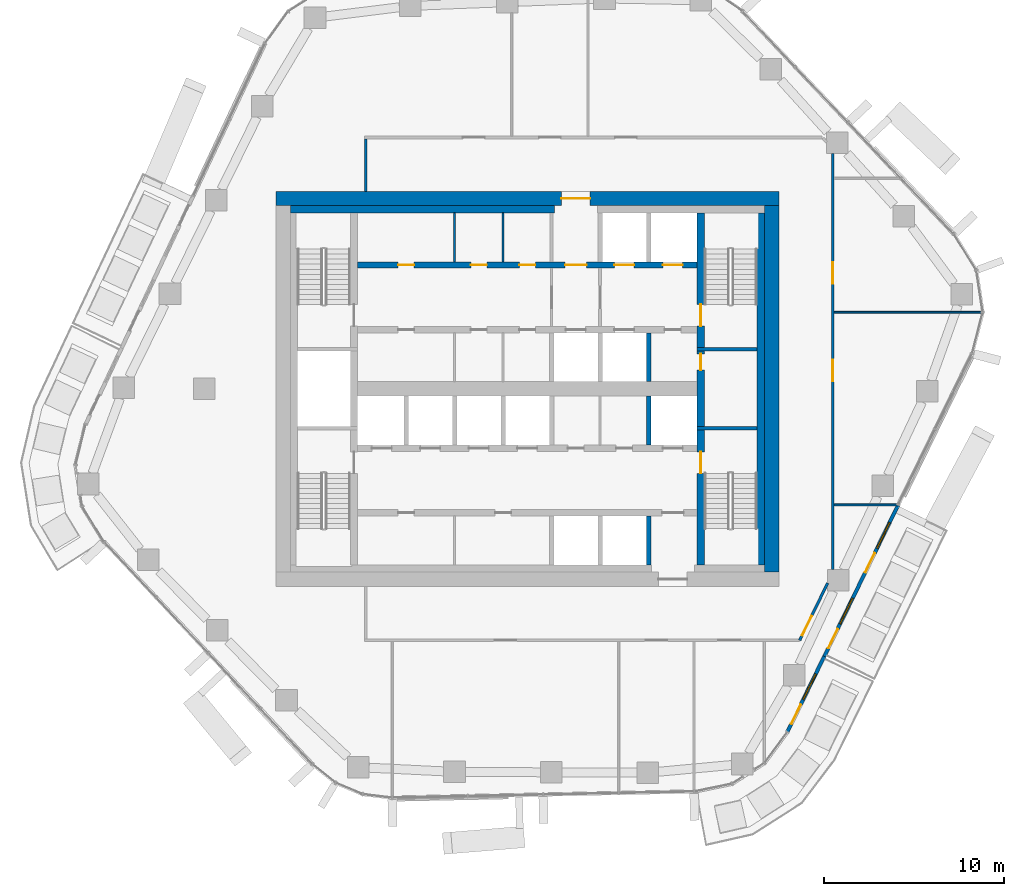
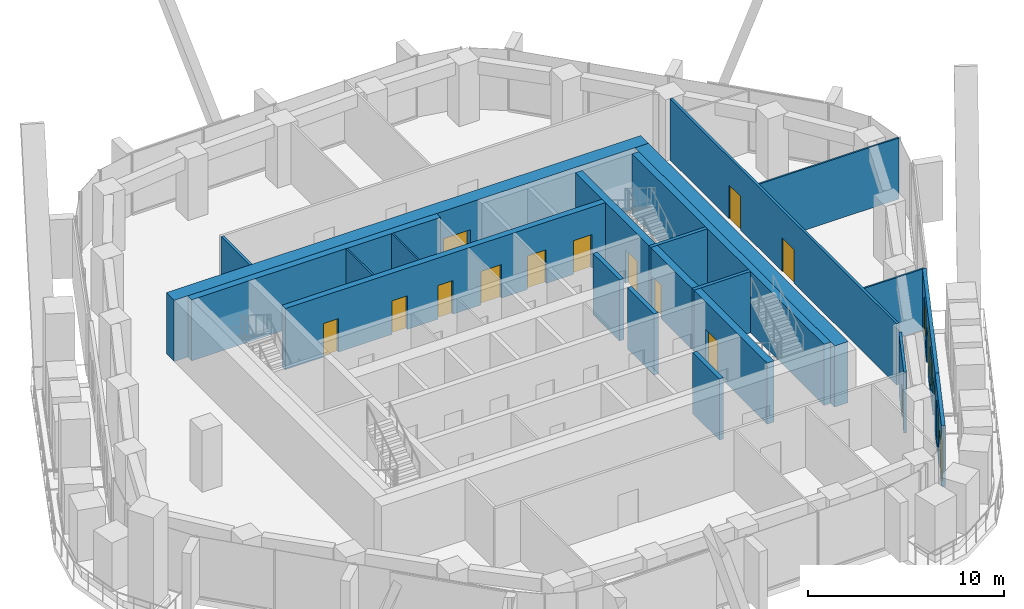
# One storey, part 12 of 18: 22 walls, 16 doors, 3 windows, 19 openings.
"""IFC4 building model written with IfcOpenShell, lengths in metres."""

from ifc_helpers import new_model, si_unit, direction, frame, frame_2d, origin, place, context, subcontext, project, spatial, rectangle, extrude, material, layer, layer_set, type_object, element, fill, save


model = new_model("IFC4")

# Units and contexts
model_context = context("Model", 3, precision=1e-05, world=origin(), true_north=direction((0.0, 1.0)))
body_context = subcontext(model_context, "Body", "Model", "MODEL_VIEW")
ifc_project = project(units=[si_unit("LENGTHUNIT", "METRE"), si_unit("AREAUNIT", "SQUARE_METRE"), si_unit("VOLUMEUNIT", "CUBIC_METRE"), si_unit("PLANEANGLEUNIT", "RADIAN"), si_unit("MASSUNIT", "GRAM", prefix="KILO")], contexts=[model_context])

# Site, building, storey
site_placement = place(None, origin())
site = spatial("IfcSite", under=ifc_project, at=site_placement, CompositionType="ELEMENT")
building_placement = place(site_placement, origin())
building = spatial("IfcBuilding", under=site, at=building_placement, Name="Dongbaek Canopy Tower", CompositionType="ELEMENT")
storey_placement = place(building_placement, frame((0.0, 0.0, 167.0)))
storey = spatial("IfcBuildingStorey", under=building, at=storey_placement, Name="L36", CompositionType="ELEMENT", Elevation=167.0)

# Wall, openings, doors
ifc_material_1 = material(Name="Concrete C60/75", Category="concrete")
ifc_layer_1 = layer(ifc_material_1, 0.35009765625)
ifc_layer_set_1 = layer_set([ifc_layer_1], Name="Core lobby wall 350 Concrete C60/75")
wall_type_1 = type_object("IfcWallType", Name="Core lobby wall 350 Concrete C60/75", PredefinedType="SHEAR", material=ifc_layer_set_1)
wall_1_placement = place(storey_placement, frame((-9.449951171875, 6.89990234375, 0.0), z_axis=(0.0, 0.0, 1.0), x_axis=(1.0, 0.0, 0.0)))
wall_1 = element("IfcWall", 1, at=wall_1_placement, inside=storey, type_object=wall_type_1, Name="Core wall", PredefinedType="SHEAR", context=body_context, shape_type="SweptSolid", body=[
    extrude(rectangle(XDim=18.89990234375, YDim=0.35009765625, at=frame_2d((9.449951171875, 0.0))), origin(), (0.0, 0.0, 1.0), 3.820068359375),
])
opening_1_placement = place(wall_1_placement, frame((11.550048828125, 0.0, 0.0)))
opening_1 = element("IfcOpeningElement", 2, at=opening_1_placement, cuts=wall_1, Name="Opening L36-D012", PredefinedType="OPENING", context=body_context, shape_type="SweptSolid", body=[
    extrude(rectangle(XDim=1.199951171875, YDim=2.10009765625, at=frame_2d((0.60009765625, 1.050048828125))), frame((0.0, 0.18505859375, 0.0), z_axis=(0.0, -1.0, 0.0), x_axis=(1.0, 0.0, 0.0)), (0.0, 0.0, 1.0), 0.3701171875),
])
opening_2_placement = place(wall_1_placement, frame((14.300048828125, 0.0, 0.0)))
opening_2 = element("IfcOpeningElement", 3, at=opening_2_placement, cuts=wall_1, Name="Opening L36-D013", PredefinedType="OPENING", context=body_context, shape_type="SweptSolid", body=[
    extrude(rectangle(XDim=1.10009765625, YDim=2.10009765625, at=frame_2d((0.550048828125, 1.050048828125))), frame((0.0, 0.18505859375, 0.0), z_axis=(0.0, -1.0, 0.0), x_axis=(1.0, 0.0, 0.0)), (0.0, 0.0, 1.0), 0.3701171875),
])
opening_3_placement = place(wall_1_placement, frame((17.0, 0.0, 0.0)))
opening_3 = element("IfcOpeningElement", 4, at=opening_3_placement, cuts=wall_1, Name="Opening L36-D014", PredefinedType="OPENING", context=body_context, shape_type="SweptSolid", body=[
    extrude(rectangle(XDim=1.10009765625, YDim=2.10009765625, at=frame_2d((0.550048828125, 1.050048828125))), frame((0.0, 0.18505859375, 0.0), z_axis=(0.0, -1.0, 0.0), x_axis=(1.0, 0.0, 0.0)), (0.0, 0.0, 1.0), 0.3701171875),
])
opening_4_placement = place(wall_1_placement, frame((2.25, 0.0, 0.0)))
opening_4 = element("IfcOpeningElement", 5, at=opening_4_placement, cuts=wall_1, Name="Opening L36-D025", PredefinedType="OPENING", context=body_context, shape_type="SweptSolid", body=[
    extrude(rectangle(XDim=0.89990234375, YDim=2.10009765625, at=frame_2d((0.449951171875, 1.050048828125))), frame((0.0, 0.18505859375, 0.0), z_axis=(0.0, -1.0, 0.0), x_axis=(1.0, 0.0, 0.0)), (0.0, 0.0, 1.0), 0.3701171875),
])
opening_5_placement = place(wall_1_placement, frame((6.300048828125, 0.0, 0.0)))
opening_5 = element("IfcOpeningElement", 6, at=opening_5_placement, cuts=wall_1, Name="Opening L36-D026", PredefinedType="OPENING", context=body_context, shape_type="SweptSolid", body=[
    extrude(rectangle(XDim=0.89990234375, YDim=2.10009765625, at=frame_2d((0.449951171875, 1.050048828125))), frame((0.0, 0.18505859375, 0.0), z_axis=(0.0, -1.0, 0.0), x_axis=(1.0, 0.0, 0.0)), (0.0, 0.0, 1.0), 0.3701171875),
])
opening_6_placement = place(wall_1_placement, frame((9.0, 0.0, 0.0)))
opening_6 = element("IfcOpeningElement", 7, at=opening_6_placement, cuts=wall_1, Name="Opening L36-D027", PredefinedType="OPENING", context=body_context, shape_type="SweptSolid", body=[
    extrude(rectangle(XDim=0.89990234375, YDim=2.10009765625, at=frame_2d((0.449951171875, 1.050048828125))), frame((0.0, 0.18505859375, 0.0), z_axis=(0.0, -1.0, 0.0), x_axis=(1.0, 0.0, 0.0)), (0.0, 0.0, 1.0), 0.3701171875),
])
ifc_material_2 = material(Name="Steel", Category="steel")
door_type_1 = type_object("IfcDoorType", Name="Core room door 900 x 2100", OperationType="SINGLE_SWING_LEFT", PredefinedType="DOOR", material=ifc_material_2)
door_1_placement = place(opening_4_placement, origin())
door_1 = element("IfcDoor", 8, at=door_1_placement, inside=storey, type_object=door_type_1, Name="Door L36-D025", OperationType="SINGLE_SWING_RIGHT", OverallHeight=2.10009765625, OverallWidth=0.89990234375, PredefinedType="DOOR", context=body_context, shape_type="SweptSolid", body=[
    extrude(rectangle(XDim=0.89990234375, YDim=2.10009765625, at=frame_2d((0.449951171875, 1.050048828125))), frame((0.0, 0.02490234375, 0.0), z_axis=(0.0, -1.0, 0.0), x_axis=(1.0, 0.0, 0.0)), (0.0, 0.0, 1.0), 0.050048828125),
])
fill(opening_4, door_1)
door_2_placement = place(opening_5_placement, origin())
door_2 = element("IfcDoor", 9, at=door_2_placement, inside=storey, type_object=door_type_1, Name="Door L36-D026", OperationType="SINGLE_SWING_LEFT", OverallHeight=2.10009765625, OverallWidth=0.89990234375, PredefinedType="DOOR", context=body_context, shape_type="SweptSolid", body=[
    extrude(rectangle(XDim=0.89990234375, YDim=2.10009765625, at=frame_2d((0.449951171875, 1.050048828125))), frame((0.0, 0.02490234375, 0.0), z_axis=(0.0, -1.0, 0.0), x_axis=(1.0, 0.0, 0.0)), (0.0, 0.0, 1.0), 0.050048828125),
])
fill(opening_5, door_2)
door_3_placement = place(opening_6_placement, origin())
door_3 = element("IfcDoor", 10, at=door_3_placement, inside=storey, type_object=door_type_1, Name="Door L36-D027", OperationType="SINGLE_SWING_RIGHT", OverallHeight=2.10009765625, OverallWidth=0.89990234375, PredefinedType="DOOR", context=body_context, shape_type="SweptSolid", body=[
    extrude(rectangle(XDim=0.89990234375, YDim=2.10009765625, at=frame_2d((0.449951171875, 1.050048828125))), frame((0.0, 0.02490234375, 0.0), z_axis=(0.0, -1.0, 0.0), x_axis=(1.0, 0.0, 0.0)), (0.0, 0.0, 1.0), 0.050048828125),
])
fill(opening_6, door_3)
ifc_material_3 = material(Name="Steel", Category="steel")
door_type_2 = type_object("IfcDoorType", Name="Fire lobby door 1200 x 2100", OperationType="SINGLE_SWING_LEFT", PredefinedType="DOOR", material=ifc_material_3)
door_4_placement = place(opening_1_placement, origin())
door_4 = element("IfcDoor", 11, at=door_4_placement, inside=storey, type_object=door_type_2, Name="Door L36-D012", OperationType="SINGLE_SWING_LEFT", OverallHeight=2.10009765625, OverallWidth=1.199951171875, PredefinedType="DOOR", context=body_context, shape_type="SweptSolid", body=[
    extrude(rectangle(XDim=1.199951171875, YDim=2.10009765625, at=frame_2d((0.60009765625, 1.050048828125))), frame((0.0, 0.02490234375, 0.0), z_axis=(0.0, -1.0, 0.0), x_axis=(1.0, 0.0, 0.0)), (0.0, 0.0, 1.0), 0.050048828125),
])
fill(opening_1, door_4)
ifc_material_4 = material(Name="Stainless steel", Category="steel")
door_type_3 = type_object("IfcDoorType", Name="Lift landing door 1100 x 2100", OperationType="DOUBLE_DOOR_SLIDING", PredefinedType="DOOR", material=ifc_material_4)
door_5_placement = place(opening_2_placement, origin())
door_5 = element("IfcDoor", 12, at=door_5_placement, inside=storey, type_object=door_type_3, Name="Landing door FF1", OperationType="DOUBLE_DOOR_SLIDING", OverallHeight=2.10009765625, OverallWidth=1.10009765625, PredefinedType="DOOR", context=body_context, shape_type="SweptSolid", body=[
    extrude(rectangle(XDim=1.10009765625, YDim=2.10009765625, at=frame_2d((0.550048828125, 1.050048828125))), frame((0.0, 0.02490234375, 0.0), z_axis=(0.0, -1.0, 0.0), x_axis=(1.0, 0.0, 0.0)), (0.0, 0.0, 1.0), 0.050048828125),
])
fill(opening_2, door_5)
door_6_placement = place(opening_3_placement, origin())
door_6 = element("IfcDoor", 13, at=door_6_placement, inside=storey, type_object=door_type_3, Name="Landing door FF2", OperationType="DOUBLE_DOOR_SLIDING", OverallHeight=2.10009765625, OverallWidth=1.10009765625, PredefinedType="DOOR", context=body_context, shape_type="SweptSolid", body=[
    extrude(rectangle(XDim=1.10009765625, YDim=2.10009765625, at=frame_2d((0.550048828125, 1.050048828125))), frame((0.0, 0.02490234375, 0.0), z_axis=(0.0, -1.0, 0.0), x_axis=(1.0, 0.0, 0.0)), (0.0, 0.0, 1.0), 0.050048828125),
])
fill(opening_3, door_6)

# Wall, opening, door
ifc_material_5 = material(Name="Concrete C70/85", Category="concrete")
ifc_layer_2 = layer(ifc_material_5, 0.800048828125)
ifc_layer_set_2 = layer_set([ifc_layer_2], Name="Core outer wall 800 Concrete C70/85")
wall_type_2 = type_object("IfcWallType", Name="Core outer wall 800 Concrete C70/85", PredefinedType="SHEAR", material=ifc_layer_set_2)
wall_2_placement = place(storey_placement, frame((-14.0, 10.60009765625, 0.0), z_axis=(0.0, 0.0, 1.0), x_axis=(1.0, 0.0, 0.0)))
wall_2 = element("IfcWall", 14, at=wall_2_placement, inside=storey, type_object=wall_type_2, Name="Core wall", PredefinedType="SHEAR", context=body_context, shape_type="SweptSolid", body=[
    extrude(rectangle(XDim=28.0, YDim=0.800048828125, at=frame_2d((14.0, 0.0))), origin(), (0.0, 0.0, 1.0), 3.820068359375),
])
opening_7_placement = place(wall_2_placement, frame((15.89990234375, 0.0, 0.0)))
opening_7 = element("IfcOpeningElement", 15, at=opening_7_placement, cuts=wall_2, Name="Opening L36-D011", PredefinedType="OPENING", context=body_context, shape_type="SweptSolid", body=[
    extrude(rectangle(XDim=1.60009765625, YDim=2.10009765625, at=frame_2d((0.800048828125, 1.050048828125))), frame((0.0, 0.409912109375, 0.0), z_axis=(0.0, -1.0, 0.0), x_axis=(1.0, 0.0, 0.0)), (0.0, 0.0, 1.0), 0.820068359375),
])
ifc_material_6 = material(Name="Steel", Category="steel")
door_type_4 = type_object("IfcDoorType", Name="Core exit door 1600 x 2100", OperationType="DOUBLE_DOOR_SINGLE_SWING", PredefinedType="DOOR", material=ifc_material_6)
door_7_placement = place(opening_7_placement, origin())
door_7 = element("IfcDoor", 16, at=door_7_placement, inside=storey, type_object=door_type_4, Name="Core exit door", OperationType="DOUBLE_DOOR_SINGLE_SWING", OverallHeight=2.10009765625, OverallWidth=1.60009765625, PredefinedType="DOOR", context=body_context, shape_type="SweptSolid", body=[
    extrude(rectangle(XDim=1.60009765625, YDim=2.10009765625, at=frame_2d((0.800048828125, 1.050048828125))), frame((0.0, 0.02490234375, 0.0), z_axis=(0.0, -1.0, 0.0), x_axis=(1.0, 0.0, 0.0)), (0.0, 0.0, 1.0), 0.050048828125),
])
fill(opening_7, door_7)

# Walls
wall_3_placement = place(storey_placement, frame((13.60009765625, 10.199951171875, 0.0), z_axis=(0.0, 0.0, 1.0), x_axis=(0.0, -1.0, 0.0)))
element("IfcWall", 17, at=wall_3_placement, inside=storey, type_object=wall_type_2, Name="Core wall", PredefinedType="SHEAR", context=body_context, shape_type="SweptSolid", body=[
    extrude(rectangle(XDim=20.39990234375, YDim=0.800048828125, at=frame_2d((10.199951171875, 0.0))), origin(), (0.0, 0.0, 1.0), 3.820068359375),
])
ifc_material_7 = material(Name="Concrete C60/75", Category="concrete")
ifc_layer_3 = layer(ifc_material_7, 0.39990234375)
ifc_layer_set_3 = layer_set([ifc_layer_3], Name="Core wall lining 400 Concrete C60/75")
wall_type_3 = type_object("IfcWallType", Name="Core wall lining 400 Concrete C60/75", PredefinedType="SHEAR", material=ifc_layer_set_3)
wall_4_placement = place(storey_placement, frame((-13.199951171875, 10.0, 0.0), z_axis=(0.0, 0.0, 1.0), x_axis=(1.0, 0.0, 0.0)))
element("IfcWall", 18, at=wall_4_placement, inside=storey, type_object=wall_type_3, Name="Core wall lining", PredefinedType="SHEAR", context=body_context, shape_type="SweptSolid", body=[
    extrude(rectangle(XDim=14.699951171875, YDim=0.39990234375, at=frame_2d((7.35009765625, 0.0))), origin(), (0.0, 0.0, 1.0), 3.820068359375),
])
wall_5_placement = place(storey_placement, frame((13.0, 9.800048828125, 0.0), z_axis=(0.0, 0.0, 1.0), x_axis=(0.0, -1.0, 0.0)))
element("IfcWall", 19, at=wall_5_placement, inside=storey, type_object=wall_type_3, Name="Core wall lining", PredefinedType="SHEAR", context=body_context, shape_type="SweptSolid", body=[
    extrude(rectangle(XDim=19.60009765625, YDim=0.39990234375, at=frame_2d((9.800048828125, 0.0))), origin(), (0.0, 0.0, 1.0), 3.820068359375),
])

# Wall, opening, door
ifc_material_8 = material(Name="Gypsum board partition, steel stud, 2 x 15 mm fire board", Category="steel")
ifc_layer_4 = layer(ifc_material_8, 0.14990234375)
ifc_layer_set_4 = layer_set([ifc_layer_4], Name="Fire-rated partition 150 gypsum board")
wall_type_4 = type_object("IfcWallType", Name="Fire-rated partition 150 gypsum board", PredefinedType="PARTITIONING", material=ifc_layer_set_4)
wall_6_placement = place(storey_placement, frame((16.721923828125, -10.809326171875, 0.0), z_axis=(0.0, 0.0, 1.0), x_axis=(-0.438666135365, -0.898650110824, 0.0)))
wall_6 = element("IfcWall", 20, at=wall_6_placement, inside=storey, type_object=wall_type_4, Name="Corridor partition", PredefinedType="PARTITIONING", context=body_context, shape_type="SweptSolid", body=[
    extrude(rectangle(XDim=3.55029296875, YDim=0.14990234375, at=frame_2d((1.775146484375, 0.0))), origin(), (0.0, 0.0, 1.0), 3.820068359375),
])
opening_8_placement = place(wall_6_placement, frame((2.038330078125, 0.0, 0.0)))
opening_8 = element("IfcOpeningElement", 21, at=opening_8_placement, cuts=wall_6, Name="Opening L36-D004", PredefinedType="OPENING", context=body_context, shape_type="SweptSolid", body=[
    extrude(rectangle(XDim=1.199951171875, YDim=2.10009765625, at=frame_2d((0.60009765625, 1.050048828125))), frame((0.0, 0.0849609375, 0.0), z_axis=(0.0, -1.0, 0.0), x_axis=(1.0, 0.0, 0.0)), (0.0, 0.0, 1.0), 0.169921875),
])
ifc_material_9 = material(Name="Timber veneered door leaf", Category="wood")
door_type_5 = type_object("IfcDoorType", Name="Room door 1200 x 2100", OperationType="SINGLE_SWING_LEFT", PredefinedType="DOOR", material=ifc_material_9)
door_8_placement = place(opening_8_placement, origin())
door_8 = element("IfcDoor", 22, at=door_8_placement, inside=storey, type_object=door_type_5, Name="Door L36-D004", OperationType="SINGLE_SWING_LEFT", OverallHeight=2.10009765625, OverallWidth=1.199951171875, PredefinedType="DOOR", context=body_context, shape_type="SweptSolid", body=[
    extrude(rectangle(XDim=1.199951171875, YDim=2.10009765625, at=frame_2d((0.60009765625, 1.050048828125))), frame((0.0, 0.02490234375, 0.0), z_axis=(0.0, -1.0, 0.0), x_axis=(1.0, 0.0, 0.0)), (0.0, 0.0, 1.0), 0.050048828125),
])
fill(opening_8, door_8)

# Wall, openings, doors
wall_7_placement = place(storey_placement, frame((17.0, 13.10595703125, 0.0), z_axis=(0.0, 0.0, 1.0), x_axis=(0.0, -1.0, 0.0)))
wall_7 = element("IfcWall", 23, at=wall_7_placement, inside=storey, type_object=wall_type_4, Name="Corridor partition", PredefinedType="PARTITIONING", context=body_context, shape_type="SweptSolid", body=[
    extrude(rectangle(XDim=23.171875, YDim=0.14990234375, at=frame_2d((11.5859375, 0.0))), origin(), (0.0, 0.0, 1.0), 3.820068359375),
])
opening_9_placement = place(wall_7_placement, frame((11.491943359375, 0.0, 0.0)))
opening_9 = element("IfcOpeningElement", 24, at=opening_9_placement, cuts=wall_7, Name="Opening L36-D005", PredefinedType="OPENING", context=body_context, shape_type="SweptSolid", body=[
    extrude(rectangle(XDim=1.199951171875, YDim=2.10009765625, at=frame_2d((0.60009765625, 1.050048828125))), frame((0.0, 0.0849609375, 0.0), z_axis=(0.0, -1.0, 0.0), x_axis=(1.0, 0.0, 0.0)), (0.0, 0.0, 1.0), 0.169921875),
])
opening_10_placement = place(wall_7_placement, frame((6.056396484375, 0.0, 0.0)))
opening_10 = element("IfcOpeningElement", 25, at=opening_10_placement, cuts=wall_7, Name="Opening L36-D006", PredefinedType="OPENING", context=body_context, shape_type="SweptSolid", body=[
    extrude(rectangle(XDim=1.199951171875, YDim=2.10009765625, at=frame_2d((0.60009765625, 1.050048828125))), frame((0.0, 0.0849609375, 0.0), z_axis=(0.0, -1.0, 0.0), x_axis=(1.0, 0.0, 0.0)), (0.0, 0.0, 1.0), 0.169921875),
])
door_9_placement = place(opening_9_placement, origin())
door_9 = element("IfcDoor", 26, at=door_9_placement, inside=storey, type_object=door_type_5, Name="Door L36-D005", OperationType="SINGLE_SWING_RIGHT", OverallHeight=2.10009765625, OverallWidth=1.199951171875, PredefinedType="DOOR", context=body_context, shape_type="SweptSolid", body=[
    extrude(rectangle(XDim=1.199951171875, YDim=2.10009765625, at=frame_2d((0.60009765625, 1.050048828125))), frame((0.0, 0.02490234375, 0.0), z_axis=(0.0, -1.0, 0.0), x_axis=(1.0, 0.0, 0.0)), (0.0, 0.0, 1.0), 0.050048828125),
])
fill(opening_9, door_9)
door_10_placement = place(opening_10_placement, origin())
door_10 = element("IfcDoor", 27, at=door_10_placement, inside=storey, type_object=door_type_5, Name="Door L36-D006", OperationType="SINGLE_SWING_LEFT", OverallHeight=2.10009765625, OverallWidth=1.199951171875, PredefinedType="DOOR", context=body_context, shape_type="SweptSolid", body=[
    extrude(rectangle(XDim=1.199951171875, YDim=2.10009765625, at=frame_2d((0.60009765625, 1.050048828125))), frame((0.0, 0.02490234375, 0.0), z_axis=(0.0, -1.0, 0.0), x_axis=(1.0, 0.0, 0.0)), (0.0, 0.0, 1.0), 0.050048828125),
])
fill(opening_10, door_10)

# Walls
wall_8_placement = place(storey_placement, frame((-9.0, 11.0, 0.0), z_axis=(0.0, 0.0, 1.0), x_axis=(0.0, 1.0, 0.0)))
element("IfcWall", 28, at=wall_8_placement, inside=storey, type_object=wall_type_4, Name="Corridor partition", PredefinedType="PARTITIONING", context=body_context, shape_type="SweptSolid", body=[
    extrude(rectangle(XDim=2.925048828125, YDim=0.14990234375, at=frame_2d((1.46240234375, 0.0))), origin(), (0.0, 0.0, 1.0), 3.820068359375),
])
ifc_material_10 = material(Name="Concrete C40/50", Category="concrete")
ifc_layer_5 = layer(ifc_material_10, 0.25)
ifc_layer_set_5 = layer_set([ifc_layer_5], Name="Lift shaft wall 250 Concrete C40/50")
wall_type_5 = type_object("IfcWallType", Name="Lift shaft wall 250 Concrete C40/50", PredefinedType="SOLIDWALL", material=ifc_layer_set_5)
for number, where, z_axis, x_axis, name in (
    (29, (6.75, -9.800048828125, 0.0), (0.0, 0.0, 1.0), (0.0, 1.0, 0.0), "Lift shaft wall"),
    (30, (6.75, -3.125, 0.0), (0.0, 0.0, 1.0), (0.0, 1.0, 0.0), "Lift shaft wall"),
    (31, (6.75, 0.39990234375, 0.0), (0.0, 0.0, 1.0), (0.0, 1.0, 0.0), "Lift shaft wall"),
):
    element("IfcWall", number, at=place(storey_placement, frame(where, z_axis=z_axis, x_axis=x_axis)), inside=storey, type_object=wall_type_5, Name=name, PredefinedType="SOLIDWALL", context=body_context, shape_type="SweptSolid", body=[
        extrude(rectangle(XDim=2.72509765625, YDim=0.25, at=frame_2d((1.362548828125, 0.0))), origin(), (0.0, 0.0, 1.0), 3.820068359375),
    ])
ifc_material_11 = material(Name="Gypsum board partition, steel stud, 2 x 12.5 mm board", Category="steel")
ifc_layer_6 = layer(ifc_material_11, 0.10009765625)
ifc_layer_set_6 = layer_set([ifc_layer_6], Name="Partition 100 gypsum board")
wall_type_6 = type_object("IfcWallType", Name="Partition 100 gypsum board", PredefinedType="PARTITIONING", material=ifc_layer_set_6)
wall_9_placement = place(storey_placement, frame((17.074951171875, -6.4580078125, 0.0), z_axis=(0.0, 0.0, 1.0), x_axis=(1.0, 0.0, 0.0)))
element("IfcWall", 32, at=wall_9_placement, inside=storey, type_object=wall_type_6, Name="Partition", PredefinedType="PARTITIONING", context=body_context, shape_type="SweptSolid", body=[
    extrude(rectangle(XDim=3.552001953125, YDim=0.10009765625, at=frame_2d((1.77587890625, 0.0))), origin(), (0.0, 0.0, 1.0), 3.820068359375),
])
wall_10_placement = place(storey_placement, frame((17.074951171875, 4.26904296875, 0.0), z_axis=(0.0, 0.0, 1.0), x_axis=(1.0, 0.0, 0.0)))
element("IfcWall", 33, at=wall_10_placement, inside=storey, type_object=wall_type_6, Name="Partition", PredefinedType="PARTITIONING", context=body_context, shape_type="SweptSolid", body=[
    extrude(rectangle(XDim=8.258544921875, YDim=0.10009765625, at=frame_2d((4.12939453125, 0.0))), origin(), (0.0, 0.0, 1.0), 3.820068359375),
])
for number, where, z_axis, x_axis, name in (
    (34, (-1.35009765625, 7.074951171875, 0.0), (0.0, 0.0, 1.0), (0.0, 1.0, 0.0), "Core partition"),
    (35, (-4.050048828125, 7.074951171875, 0.0), (0.0, 0.0, 1.0), (0.0, 1.0, 0.0), "Core partition"),
):
    element("IfcWall", number, at=place(storey_placement, frame(where, z_axis=z_axis, x_axis=x_axis)), inside=storey, type_object=wall_type_6, Name=name, PredefinedType="PARTITIONING", context=body_context, shape_type="SweptSolid", body=[
        extrude(rectangle(XDim=2.72509765625, YDim=0.10009765625, at=frame_2d((1.362548828125, 0.0))), origin(), (0.0, 0.0, 1.0), 3.820068359375),
    ])
ifc_material_12 = material(Name="Concrete C60/75", Category="concrete")
ifc_layer_7 = layer(ifc_material_12, 0.199951171875)
ifc_layer_set_7 = layer_set([ifc_layer_7], Name="Riser wall 200 Concrete C60/75")
wall_type_7 = type_object("IfcWallType", Name="Riser wall 200 Concrete C60/75", PredefinedType="SHEAR", material=ifc_layer_set_7)
for number, where, z_axis, x_axis, name in (
    (36, (9.449951171875, 2.199951171875, 0.0), (0.0, 0.0, 1.0), (1.0, 0.0, 0.0), "Riser wall"),
    (37, (9.449951171875, -2.199951171875, 0.0), (0.0, 0.0, 1.0), (1.0, 0.0, 0.0), "Riser wall"),
):
    element("IfcWall", number, at=place(storey_placement, frame(where, z_axis=z_axis, x_axis=x_axis)), inside=storey, type_object=wall_type_7, Name=name, PredefinedType="SHEAR", context=body_context, shape_type="SweptSolid", body=[
        extrude(rectangle(XDim=3.35009765625, YDim=0.199951171875, at=frame_2d((1.675048828125, 0.0))), origin(), (0.0, 0.0, 1.0), 3.820068359375),
    ])

# Wall, opening, door
ifc_material_13 = material(Name="Concrete C60/75", Category="concrete")
ifc_layer_8 = layer(ifc_material_13, 0.39990234375)
ifc_layer_set_8 = layer_set([ifc_layer_8], Name="Stair wall 400 Concrete C60/75")
wall_type_8 = type_object("IfcWallType", Name="Stair wall 400 Concrete C60/75", PredefinedType="SHEAR", material=ifc_layer_set_8)
wall_11_placement = place(storey_placement, frame((9.64990234375, -2.300048828125, 0.0), z_axis=(0.0, 0.0, 1.0), x_axis=(0.0, -1.0, 0.0)))
wall_11 = element("IfcWall", 38, at=wall_11_placement, inside=storey, type_object=wall_type_8, Name="Stair wall", PredefinedType="SHEAR", context=body_context, shape_type="SweptSolid", body=[
    extrude(rectangle(XDim=7.5, YDim=0.39990234375, at=frame_2d((3.75, 0.0))), origin(), (0.0, 0.0, 1.0), 3.820068359375),
])
opening_11_placement = place(wall_11_placement, frame((1.199951171875, 0.0, 0.0)))
opening_11 = element("IfcOpeningElement", 39, at=opening_11_placement, cuts=wall_11, Name="Opening L36-D037", PredefinedType="OPENING", context=body_context, shape_type="SweptSolid", body=[
    extrude(rectangle(XDim=1.199951171875, YDim=2.10009765625, at=frame_2d((0.60009765625, 1.050048828125))), frame((0.0, 0.2099609375, 0.0), z_axis=(0.0, -1.0, 0.0), x_axis=(1.0, 0.0, 0.0)), (0.0, 0.0, 1.0), 0.419921875),
])
ifc_material_14 = material(Name="Steel", Category="steel")
door_type_6 = type_object("IfcDoorType", Name="Stair door 1200 x 2100", OperationType="SINGLE_SWING_LEFT", PredefinedType="DOOR", material=ifc_material_14)
door_11_placement = place(opening_11_placement, origin())
door_11 = element("IfcDoor", 40, at=door_11_placement, inside=storey, type_object=door_type_6, Name="Stair B door", OperationType="SINGLE_SWING_RIGHT", OverallHeight=2.10009765625, OverallWidth=1.199951171875, PredefinedType="DOOR", context=body_context, shape_type="SweptSolid", body=[
    extrude(rectangle(XDim=1.199951171875, YDim=2.10009765625, at=frame_2d((0.60009765625, 1.050048828125))), frame((0.0, 0.02490234375, 0.0), z_axis=(0.0, -1.0, 0.0), x_axis=(1.0, 0.0, 0.0)), (0.0, 0.0, 1.0), 0.050048828125),
])
fill(opening_11, door_11)

wall_12_placement = place(storey_placement, frame((9.64990234375, 2.10009765625, 0.0), z_axis=(0.0, 0.0, 1.0), x_axis=(0.0, -1.0, 0.0)))
wall_12 = element("IfcWall", 41, at=wall_12_placement, inside=storey, type_object=wall_type_8, Name="Stair wall", PredefinedType="SHEAR", context=body_context, shape_type="SweptSolid", body=[
    extrude(rectangle(XDim=4.2001953125, YDim=0.39990234375, at=frame_2d((2.10009765625, 0.0))), origin(), (0.0, 0.0, 1.0), 3.820068359375),
])
opening_12_placement = place(wall_12_placement, frame((0.14990234375, 0.0, 0.0)))
opening_12 = element("IfcOpeningElement", 42, at=opening_12_placement, cuts=wall_12, Name="Opening L36-D010", PredefinedType="OPENING", context=body_context, shape_type="SweptSolid", body=[
    extrude(rectangle(XDim=0.89990234375, YDim=2.10009765625, at=frame_2d((0.449951171875, 1.050048828125))), frame((0.0, 0.2099609375, 0.0), z_axis=(0.0, -1.0, 0.0), x_axis=(1.0, 0.0, 0.0)), (0.0, 0.0, 1.0), 0.419921875),
])
door_12_placement = place(opening_12_placement, origin())
door_12 = element("IfcDoor", 43, at=door_12_placement, inside=storey, type_object=door_type_1, Name="Door L36-D010", OperationType="SINGLE_SWING_RIGHT", OverallHeight=2.10009765625, OverallWidth=0.89990234375, PredefinedType="DOOR", context=body_context, shape_type="SweptSolid", body=[
    extrude(rectangle(XDim=0.89990234375, YDim=2.10009765625, at=frame_2d((0.449951171875, 1.050048828125))), frame((0.0, 0.02490234375, 0.0), z_axis=(0.0, -1.0, 0.0), x_axis=(1.0, 0.0, 0.0)), (0.0, 0.0, 1.0), 0.050048828125),
])
fill(opening_12, door_12)

wall_13_placement = place(storey_placement, frame((9.64990234375, 9.800048828125, 0.0), z_axis=(0.0, 0.0, 1.0), x_axis=(0.0, -1.0, 0.0)))
wall_13 = element("IfcWall", 44, at=wall_13_placement, inside=storey, type_object=wall_type_8, Name="Stair wall", PredefinedType="SHEAR", context=body_context, shape_type="SweptSolid", body=[
    extrude(rectangle(XDim=7.5, YDim=0.39990234375, at=frame_2d((3.75, 0.0))), origin(), (0.0, 0.0, 1.0), 3.820068359375),
])
opening_13_placement = place(wall_13_placement, frame((5.10009765625, 0.0, 0.0)))
opening_13 = element("IfcOpeningElement", 45, at=opening_13_placement, cuts=wall_13, Name="Opening L36-D035", PredefinedType="OPENING", context=body_context, shape_type="SweptSolid", body=[
    extrude(rectangle(XDim=1.199951171875, YDim=2.10009765625, at=frame_2d((0.60009765625, 1.050048828125))), frame((0.0, 0.2099609375, 0.0), z_axis=(0.0, -1.0, 0.0), x_axis=(1.0, 0.0, 0.0)), (0.0, 0.0, 1.0), 0.419921875),
])
door_13_placement = place(opening_13_placement, origin())
door_13 = element("IfcDoor", 46, at=door_13_placement, inside=storey, type_object=door_type_6, Name="Stair A door", OperationType="SINGLE_SWING_LEFT", OverallHeight=2.10009765625, OverallWidth=1.199951171875, PredefinedType="DOOR", context=body_context, shape_type="SweptSolid", body=[
    extrude(rectangle(XDim=1.199951171875, YDim=2.10009765625, at=frame_2d((0.60009765625, 1.050048828125))), frame((0.0, 0.02490234375, 0.0), z_axis=(0.0, -1.0, 0.0), x_axis=(1.0, 0.0, 0.0)), (0.0, 0.0, 1.0), 0.050048828125),
])
fill(opening_13, door_13)

# Wall, openings, doors, windows
ifc_material_15 = material(Name="Aluminium window wall", Category="aluminium")
ifc_layer_9 = layer(ifc_material_15, 0.199951171875)
ifc_layer_set_9 = layer_set([ifc_layer_9], Name="Window wall 200")
wall_type_9 = type_object("IfcWallType", Name="Window wall 200", PredefinedType="SOLIDWALL", material=ifc_layer_set_9)
wall_14_placement = place(storey_placement, frame((16.53271484375, -14.89111328125, 0.0), z_axis=(0.0, 0.0, 1.0), x_axis=(0.438659913387, 0.898653147987, 0.0)))
wall_14 = element("IfcWall", 47, at=wall_14_placement, inside=storey, type_object=wall_type_9, Name="Window wall L36 2", PredefinedType="SOLIDWALL", context=body_context, shape_type="SweptSolid", body=[
    extrude(rectangle(XDim=9.38427734375, YDim=0.199951171875, at=frame_2d((4.692138671875, 0.0))), origin(), (0.0, 0.0, 1.0), 3.820068359375),
])
opening_14_placement = place(wall_14_placement, frame((2.0, 0.0, 0.60009765625)))
opening_14 = element("IfcOpeningElement", 48, at=opening_14_placement, cuts=wall_14, Name="Opening W1", PredefinedType="OPENING", context=body_context, shape_type="SweptSolid", body=[
    extrude(rectangle(XDim=1.60009765625, YDim=2.39990234375, at=frame_2d((0.800048828125, 1.199951171875))), frame((0.0, 0.10986328125, 0.0), z_axis=(0.0, -1.0, 0.0), x_axis=(1.0, 0.0, 0.0)), (0.0, 0.0, 1.0), 0.219970703125),
])
opening_15_placement = place(wall_14_placement, frame((0.5, 0.0, 0.0)))
opening_15 = element("IfcOpeningElement", 49, at=opening_15_placement, cuts=wall_14, Name="Opening L36-B04", PredefinedType="OPENING", context=body_context, shape_type="SweptSolid", body=[
    extrude(rectangle(XDim=1.199951171875, YDim=2.39990234375, at=frame_2d((0.60009765625, 1.199951171875))), frame((0.0, 0.10986328125, 0.0), z_axis=(0.0, -1.0, 0.0), x_axis=(1.0, 0.0, 0.0)), (0.0, 0.0, 1.0), 0.219970703125),
])
opening_16_placement = place(wall_14_placement, frame((6.692138671875, 0.0, 0.60009765625)))
opening_16 = element("IfcOpeningElement", 50, at=opening_16_placement, cuts=wall_14, Name="Opening W1", PredefinedType="OPENING", context=body_context, shape_type="SweptSolid", body=[
    extrude(rectangle(XDim=1.60009765625, YDim=2.39990234375, at=frame_2d((0.800048828125, 1.199951171875))), frame((0.0, 0.10986328125, 0.0), z_axis=(0.0, -1.0, 0.0), x_axis=(1.0, 0.0, 0.0)), (0.0, 0.0, 1.0), 0.219970703125),
])
opening_17_placement = place(wall_14_placement, frame((5.192138671875, 0.0, 0.0)))
opening_17 = element("IfcOpeningElement", 51, at=opening_17_placement, cuts=wall_14, Name="Opening L36-B05", PredefinedType="OPENING", context=body_context, shape_type="SweptSolid", body=[
    extrude(rectangle(XDim=1.199951171875, YDim=2.39990234375, at=frame_2d((0.60009765625, 1.199951171875))), frame((0.0, 0.10986328125, 0.0), z_axis=(0.0, -1.0, 0.0), x_axis=(1.0, 0.0, 0.0)), (0.0, 0.0, 1.0), 0.219970703125),
])
ifc_material_16 = material(Name="Clear glazing in aluminium frame", Category="aluminium")
door_type_7 = type_object("IfcDoorType", Name="Balcony door BD1 1200 x 2400", OperationType="SLIDING_TO_LEFT", PredefinedType="DOOR", material=ifc_material_16)
door_14_placement = place(opening_15_placement, origin())
door_14 = element("IfcDoor", 52, at=door_14_placement, inside=storey, type_object=door_type_7, Name="Balcony door L36-B04", OperationType="SLIDING_TO_LEFT", OverallHeight=2.39990234375, OverallWidth=1.199951171875, PredefinedType="DOOR", context=body_context, shape_type="SweptSolid", body=[
    extrude(rectangle(XDim=1.199951171875, YDim=2.39990234375, at=frame_2d((0.60009765625, 1.199951171875))), frame((0.0, 0.02490234375, 0.0), z_axis=(0.0, -1.0, 0.0), x_axis=(1.0, 0.0, 0.0)), (0.0, 0.0, 1.0), 0.050048828125),
])
fill(opening_15, door_14)
door_15_placement = place(opening_17_placement, origin())
door_15 = element("IfcDoor", 53, at=door_15_placement, inside=storey, type_object=door_type_7, Name="Balcony door L36-B05", OperationType="SLIDING_TO_LEFT", OverallHeight=2.39990234375, OverallWidth=1.199951171875, PredefinedType="DOOR", context=body_context, shape_type="SweptSolid", body=[
    extrude(rectangle(XDim=1.199951171875, YDim=2.39990234375, at=frame_2d((0.60009765625, 1.199951171875))), frame((0.0, 0.02490234375, 0.0), z_axis=(0.0, -1.0, 0.0), x_axis=(1.0, 0.0, 0.0)), (0.0, 0.0, 1.0), 0.050048828125),
])
fill(opening_17, door_15)
ifc_material_17 = material(Name="Clear glazing in aluminium frame", Category="aluminium")
window_type = type_object("IfcWindowType", Name="Window W1 1600 x 2400", PartitioningType="SINGLE_PANEL", PredefinedType="WINDOW", material=ifc_material_17)
window_1_placement = place(opening_14_placement, origin())
window_1 = element("IfcWindow", 54, at=window_1_placement, inside=storey, type_object=window_type, Name="Window L36 2.1", OverallHeight=2.39990234375, OverallWidth=1.60009765625, PartitioningType="SINGLE_PANEL", PredefinedType="WINDOW", context=body_context, shape_type="SweptSolid", body=[
    extrude(rectangle(XDim=1.60009765625, YDim=2.39990234375, at=frame_2d((0.800048828125, 1.199951171875))), frame((0.0, 0.030029296875, 0.0), z_axis=(0.0, -1.0, 0.0), x_axis=(1.0, 0.0, 0.0)), (0.0, 0.0, 1.0), 0.06005859375),
])
fill(opening_14, window_1)
window_2_placement = place(opening_16_placement, origin())
window_2 = element("IfcWindow", 55, at=window_2_placement, inside=storey, type_object=window_type, Name="Window L36 2.2", OverallHeight=2.39990234375, OverallWidth=1.60009765625, PartitioningType="SINGLE_PANEL", PredefinedType="WINDOW", context=body_context, shape_type="SweptSolid", body=[
    extrude(rectangle(XDim=1.60009765625, YDim=2.39990234375, at=frame_2d((0.800048828125, 1.199951171875))), frame((0.0, 0.030029296875, 0.0), z_axis=(0.0, -1.0, 0.0), x_axis=(1.0, 0.0, 0.0)), (0.0, 0.0, 1.0), 0.06005859375),
])
fill(opening_16, window_2)

# Wall, openings, door, window
wall_15_placement = place(storey_placement, frame((14.478515625, -19.099365234375, 0.0), z_axis=(0.0, 0.0, 1.0), x_axis=(0.438663973521, 0.898651166101, 0.0)))
wall_15 = element("IfcWall", 56, at=wall_15_placement, inside=storey, type_object=wall_type_9, Name="Window wall L36 4", PredefinedType="SOLIDWALL", context=body_context, shape_type="SweptSolid", body=[
    extrude(rectangle(XDim=4.682861328125, YDim=0.199951171875, at=frame_2d((2.34130859375, 0.0))), origin(), (0.0, 0.0, 1.0), 3.820068359375),
])
opening_18_placement = place(wall_15_placement, frame((2.0, 0.0, 0.60009765625)))
opening_18 = element("IfcOpeningElement", 57, at=opening_18_placement, cuts=wall_15, Name="Opening W1", PredefinedType="OPENING", context=body_context, shape_type="SweptSolid", body=[
    extrude(rectangle(XDim=1.60009765625, YDim=2.39990234375, at=frame_2d((0.800048828125, 1.199951171875))), frame((0.0, 0.10986328125, 0.0), z_axis=(0.0, -1.0, 0.0), x_axis=(1.0, 0.0, 0.0)), (0.0, 0.0, 1.0), 0.219970703125),
])
opening_19_placement = place(wall_15_placement, frame((0.5, 0.0, 0.0)))
opening_19 = element("IfcOpeningElement", 58, at=opening_19_placement, cuts=wall_15, Name="Opening L36-B06", PredefinedType="OPENING", context=body_context, shape_type="SweptSolid", body=[
    extrude(rectangle(XDim=1.199951171875, YDim=2.39990234375, at=frame_2d((0.60009765625, 1.199951171875))), frame((0.0, 0.10986328125, 0.0), z_axis=(0.0, -1.0, 0.0), x_axis=(1.0, 0.0, 0.0)), (0.0, 0.0, 1.0), 0.219970703125),
])
door_16_placement = place(opening_19_placement, origin())
door_16 = element("IfcDoor", 59, at=door_16_placement, inside=storey, type_object=door_type_7, Name="Balcony door L36-B06", OperationType="SLIDING_TO_LEFT", OverallHeight=2.39990234375, OverallWidth=1.199951171875, PredefinedType="DOOR", context=body_context, shape_type="SweptSolid", body=[
    extrude(rectangle(XDim=1.199951171875, YDim=2.39990234375, at=frame_2d((0.60009765625, 1.199951171875))), frame((0.0, 0.02490234375, 0.0), z_axis=(0.0, -1.0, 0.0), x_axis=(1.0, 0.0, 0.0)), (0.0, 0.0, 1.0), 0.050048828125),
])
fill(opening_19, door_16)
window_3_placement = place(opening_18_placement, origin())
window_3 = element("IfcWindow", 60, at=window_3_placement, inside=storey, type_object=window_type, Name="Window L36 4.1", OverallHeight=2.39990234375, OverallWidth=1.60009765625, PartitioningType="SINGLE_PANEL", PredefinedType="WINDOW", context=body_context, shape_type="SweptSolid", body=[
    extrude(rectangle(XDim=1.60009765625, YDim=2.39990234375, at=frame_2d((0.800048828125, 1.199951171875))), frame((0.0, 0.030029296875, 0.0), z_axis=(0.0, -1.0, 0.0), x_axis=(1.0, 0.0, 0.0)), (0.0, 0.0, 1.0), 0.06005859375),
])
fill(opening_18, window_3)

save(model, "model.ifc")
